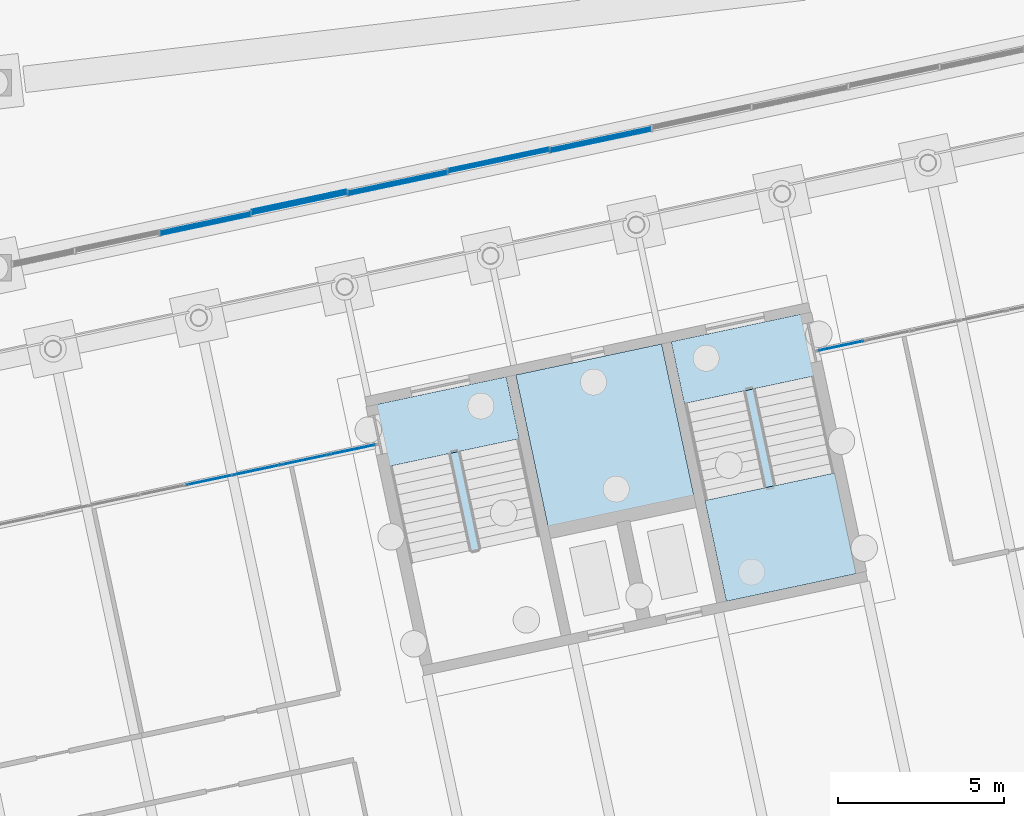
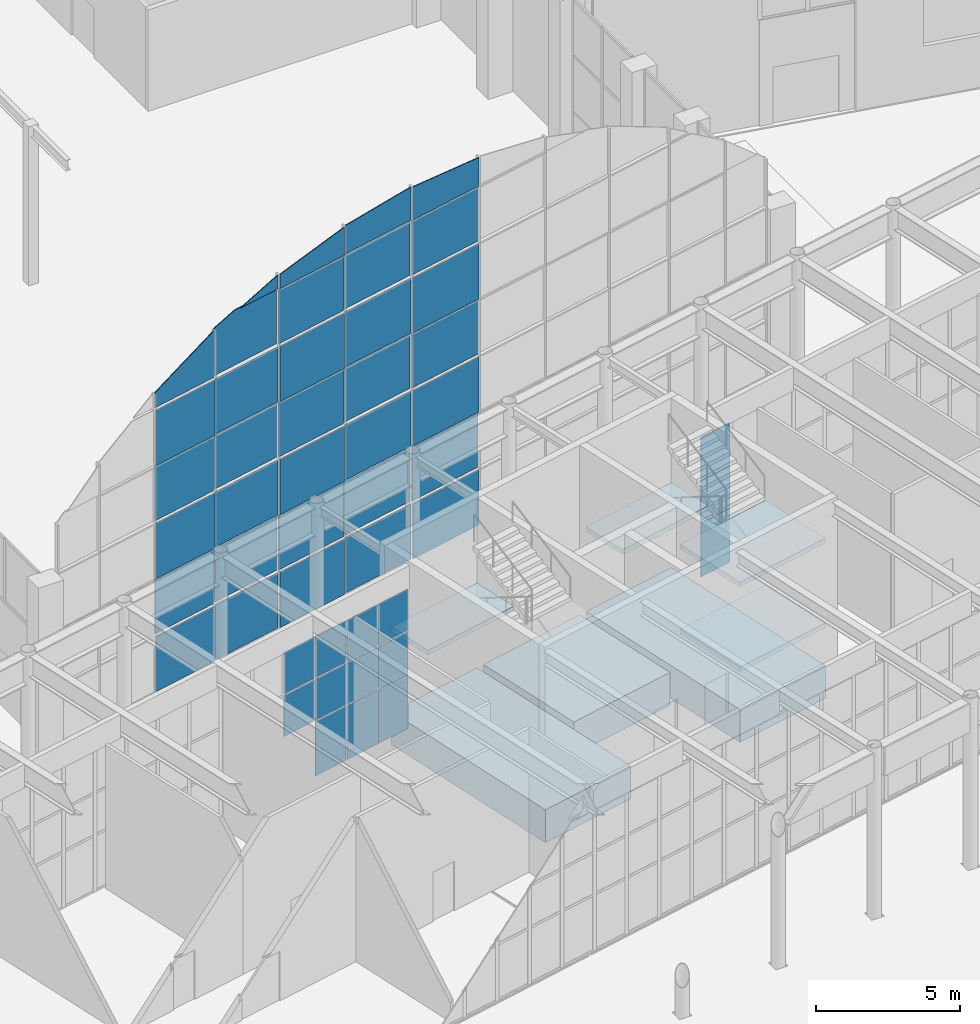
# One storey, part 152 of 239: 48 plates, 7 slabs, 5 elements without a shape of their own.
"""IFC4 building model written with IfcOpenShell, lengths in metres."""

from ifc_helpers import new_model, si_unit, direction, frame, origin, origin_2d, place, context, subcontext, project, spatial, polyline, rectangle, outline, extrude, material, layer, layer_set, type_object, element, aggregate, save


model = new_model("IFC4")

# Units and contexts
model_context = context("Model", 3, precision=1e-05, world=origin(), true_north=direction((0.0, 1.0)))
body_context = subcontext(model_context, "Body", "Model", "MODEL_VIEW")
ifc_project = project(units=[si_unit("LENGTHUNIT", "METRE"), si_unit("AREAUNIT", "SQUARE_METRE"), si_unit("VOLUMEUNIT", "CUBIC_METRE"), si_unit("PLANEANGLEUNIT", "RADIAN"), si_unit("MASSUNIT", "GRAM", prefix="KILO")], contexts=[model_context])

# Site, building, storey
site_placement = place(None, origin())
site = spatial("IfcSite", under=ifc_project, at=site_placement, CompositionType="ELEMENT")
building_placement = place(site_placement, origin())
building = spatial("IfcBuilding", under=site, at=building_placement, Name="Okhra Congress Centre", CompositionType="ELEMENT")
storey_placement = place(building_placement, origin())
storey = spatial("IfcBuildingStorey", under=building, at=storey_placement, Name="L00", CompositionType="ELEMENT", Elevation=0.0)

# Curtain wall, plates
ifc_material_1 = material(Name="Aluminium curtain wall, triple glazing", Category="aluminium")
curtain_wall_type_1 = type_object("IfcCurtainWallType", Name="Curtain wall 1500 module", PredefinedType="NOTDEFINED", material=ifc_material_1)
curtain_wall_1_placement = place(storey_placement, origin())
curtain_wall_1 = element("IfcCurtainWall", 1, at=curtain_wall_1_placement, inside=storey, type_object=curtain_wall_type_1, Name="Ground curtain wall N9", PredefinedType="NOTDEFINED")
ifc_material_2 = material(Name="Triple glazing unit, low-e coating, argon fill", Category="glass")
ifc_layer_1 = layer(ifc_material_2, 0.028076171875)
ifc_layer_set_1 = layer_set([ifc_layer_1], Name="Curtain wall glazing unit 28")
plate_type_1 = type_object("IfcPlateType", Name="Curtain wall glazing unit 28", PredefinedType="CURTAIN_PANEL", material=ifc_layer_set_1)
plate_1_placement = place(storey_placement, frame((161.990234375, 67.845703125, 2.43017578125), z_axis=(0.0, 0.0, 1.0), x_axis=(0.978147600734, 0.207911690818, 0.0)))
plate_1 = element("IfcPlate", 2, at=plate_1_placement, type_object=plate_type_1, Name="CW7 panel 17.2", PredefinedType="CURTAIN_PANEL", context=body_context, shape_type="SweptSolid", body=[
    extrude(rectangle(XDim=1.4130859375, YDim=0.028076171875, at=origin_2d()), origin(), (0.0, 0.0, 1.0), 1.739990234375),
])
plate_2_placement = place(storey_placement, frame((161.990234375, 67.845703125, 4.22998046875), z_axis=(0.0, 0.0, 1.0), x_axis=(0.978147600734, 0.207911690818, 0.0)))
plate_2 = element("IfcPlate", 3, at=plate_2_placement, type_object=plate_type_1, Name="CW7 panel 17.3", PredefinedType="CURTAIN_PANEL", context=body_context, shape_type="SweptSolid", body=[
    extrude(rectangle(XDim=1.4130859375, YDim=0.028076171875, at=origin_2d()), origin(), (0.0, 0.0, 1.0), 1.760009765625),
])
plate_3_placement = place(storey_placement, frame((163.430908203125, 68.152099609375, 0.06005859375), z_axis=(0.0, 0.0, 1.0), x_axis=(0.978147600734, 0.207911690818, 0.0)))
plate_3 = element("IfcPlate", 4, at=plate_3_placement, type_object=plate_type_1, Name="CW7 panel 18.1", PredefinedType="CURTAIN_PANEL", context=body_context, shape_type="SweptSolid", body=[
    extrude(rectangle(XDim=1.4130859375, YDim=0.028076171875, at=origin_2d()), origin(), (0.0, 0.0, 1.0), 2.31005859375),
])
plate_4_placement = place(storey_placement, frame((163.430908203125, 68.152099609375, 2.43017578125), z_axis=(0.0, 0.0, 1.0), x_axis=(0.978147600734, 0.207911690818, 0.0)))
plate_4 = element("IfcPlate", 5, at=plate_4_placement, type_object=plate_type_1, Name="CW7 panel 18.2", PredefinedType="CURTAIN_PANEL", context=body_context, shape_type="SweptSolid", body=[
    extrude(rectangle(XDim=1.4130859375, YDim=0.028076171875, at=origin_2d()), origin(), (0.0, 0.0, 1.0), 1.739990234375),
])
plate_5_placement = place(storey_placement, frame((163.430908203125, 68.152099609375, 4.22998046875), z_axis=(0.0, 0.0, 1.0), x_axis=(0.978147600734, 0.207911690818, 0.0)))
plate_5 = element("IfcPlate", 6, at=plate_5_placement, type_object=plate_type_1, Name="CW7 panel 18.3", PredefinedType="CURTAIN_PANEL", context=body_context, shape_type="SweptSolid", body=[
    extrude(rectangle(XDim=1.4130859375, YDim=0.028076171875, at=origin_2d()), origin(), (0.0, 0.0, 1.0), 1.760009765625),
])
plate_6_placement = place(storey_placement, frame((164.871826171875, 68.458251953125, 0.06005859375), z_axis=(0.0, 0.0, 1.0), x_axis=(0.978147600734, 0.207911690818, 0.0)))
plate_6 = element("IfcPlate", 7, at=plate_6_placement, type_object=plate_type_1, Name="CW7 panel 19.1", PredefinedType="CURTAIN_PANEL", context=body_context, shape_type="SweptSolid", body=[
    extrude(rectangle(XDim=1.4130859375, YDim=0.028076171875, at=origin_2d()), origin(), (0.0, 0.0, 1.0), 2.31005859375),
])
plate_7_placement = place(storey_placement, frame((164.871826171875, 68.458251953125, 2.43017578125), z_axis=(0.0, 0.0, 1.0), x_axis=(0.978147600734, 0.207911690818, 0.0)))
plate_7 = element("IfcPlate", 8, at=plate_7_placement, type_object=plate_type_1, Name="CW7 panel 19.2", PredefinedType="CURTAIN_PANEL", context=body_context, shape_type="SweptSolid", body=[
    extrude(rectangle(XDim=1.4130859375, YDim=0.028076171875, at=origin_2d()), origin(), (0.0, 0.0, 1.0), 1.739990234375),
])
plate_8_placement = place(storey_placement, frame((164.871826171875, 68.458251953125, 4.22998046875), z_axis=(0.0, 0.0, 1.0), x_axis=(0.978147600734, 0.207911690818, 0.0)))
plate_8 = element("IfcPlate", 9, at=plate_8_placement, type_object=plate_type_1, Name="CW7 panel 19.3", PredefinedType="CURTAIN_PANEL", context=body_context, shape_type="SweptSolid", body=[
    extrude(rectangle(XDim=1.4130859375, YDim=0.028076171875, at=origin_2d()), origin(), (0.0, 0.0, 1.0), 1.760009765625),
])
plate_9_placement = place(storey_placement, frame((166.2978515625, 68.761474609375, 0.06005859375), z_axis=(0.0, 0.0, 1.0), x_axis=(0.978147600734, 0.207911690818, 0.0)))
plate_9 = element("IfcPlate", 10, at=plate_9_placement, type_object=plate_type_1, Name="CW7 panel 20.1", PredefinedType="CURTAIN_PANEL", context=body_context, shape_type="SweptSolid", body=[
    extrude(rectangle(XDim=1.383056640625, YDim=0.028076171875, at=origin_2d()), origin(), (0.0, 0.0, 1.0), 2.31005859375),
])
plate_10_placement = place(storey_placement, frame((166.2978515625, 68.761474609375, 2.43017578125), z_axis=(0.0, 0.0, 1.0), x_axis=(0.978147600734, 0.207911690818, 0.0)))
plate_10 = element("IfcPlate", 11, at=plate_10_placement, type_object=plate_type_1, Name="CW7 panel 20.2", PredefinedType="CURTAIN_PANEL", context=body_context, shape_type="SweptSolid", body=[
    extrude(rectangle(XDim=1.383056640625, YDim=0.028076171875, at=origin_2d()), origin(), (0.0, 0.0, 1.0), 1.739990234375),
])
plate_11_placement = place(storey_placement, frame((166.2978515625, 68.761474609375, 4.22998046875), z_axis=(0.0, 0.0, 1.0), x_axis=(0.978147600734, 0.207911690818, 0.0)))
plate_11 = element("IfcPlate", 12, at=plate_11_placement, type_object=plate_type_1, Name="CW7 panel 20.3", PredefinedType="CURTAIN_PANEL", context=body_context, shape_type="SweptSolid", body=[
    extrude(rectangle(XDim=1.383056640625, YDim=0.028076171875, at=origin_2d()), origin(), (0.0, 0.0, 1.0), 1.760009765625),
])
aggregate(curtain_wall_1, [plate_1, plate_2, plate_3, plate_4, plate_5, plate_6, plate_7, plate_8, plate_9, plate_10, plate_11])

curtain_wall_2_placement = place(storey_placement, origin())
curtain_wall_2 = element("IfcCurtainWall", 13, at=curtain_wall_2_placement, inside=storey, type_object=curtain_wall_type_1, Name="Ground curtain wall N10", PredefinedType="NOTDEFINED")
plate_12_placement = place(storey_placement, frame((181.046875, 71.896484375, 0.06005859375), z_axis=(0.0, 0.0, 1.0), x_axis=(0.978147600734, 0.207911690818, 0.0)))
plate_12 = element("IfcPlate", 14, at=plate_12_placement, type_object=plate_type_1, Name="CW7 panel 1.1", PredefinedType="CURTAIN_PANEL", context=body_context, shape_type="SweptSolid", body=[
    extrude(rectangle(XDim=1.3740234375, YDim=0.028076171875, at=origin_2d()), origin(), (0.0, 0.0, 1.0), 2.31005859375),
])
plate_13_placement = place(storey_placement, frame((181.046875, 71.896484375, 2.43017578125), z_axis=(0.0, 0.0, 1.0), x_axis=(0.978147600734, 0.207911690818, 0.0)))
plate_13 = element("IfcPlate", 15, at=plate_13_placement, type_object=plate_type_1, Name="CW7 panel 1.2", PredefinedType="CURTAIN_PANEL", context=body_context, shape_type="SweptSolid", body=[
    extrude(rectangle(XDim=1.3740234375, YDim=0.028076171875, at=origin_2d()), origin(), (0.0, 0.0, 1.0), 1.739990234375),
])
plate_14_placement = place(storey_placement, frame((181.046875, 71.896484375, 4.22998046875), z_axis=(0.0, 0.0, 1.0), x_axis=(0.978147600734, 0.207911690818, 0.0)))
plate_14 = element("IfcPlate", 16, at=plate_14_placement, type_object=plate_type_1, Name="CW7 panel 1.3", PredefinedType="CURTAIN_PANEL", context=body_context, shape_type="SweptSolid", body=[
    extrude(rectangle(XDim=1.3740234375, YDim=0.028076171875, at=origin_2d()), origin(), (0.0, 0.0, 1.0), 1.760009765625),
])
aggregate(curtain_wall_2, [plate_12, plate_13, plate_14])

# Slabs
ifc_material_3 = material(Name="Concrete C35/45", Category="concrete")
ifc_layer_2 = layer(ifc_material_3, 1.39990234375)
ifc_layer_set_2 = layer_set([ifc_layer_2], Name="RC core raft slab 1400 C35/45")
slab_type_1 = type_object("IfcSlabType", Name="RC core raft slab 1400 C35/45", PredefinedType="BASESLAB", material=ifc_layer_set_2)
slab_1_placement = place(storey_placement, frame((0.0, 0.0, -1.39990234375)))
element("IfcSlab", 17, at=slab_1_placement, inside=storey, type_object=slab_type_1, Name="Stair cell raft 4A", PredefinedType="BASESLAB", context=body_context, shape_type="SweptSolid", body=[
    extrude(outline(polyline([(167.0224609375, 70.121826171875), (168.685791015625, 62.296630859375), (172.598388671875, 63.128173828125), (170.93505859375, 70.953369140625), (167.0224609375, 70.121826171875)])), origin(), (0.0, 0.0, 1.0), 1.39990234375),
])
slab_2_placement = place(storey_placement, frame((0.0, 0.0, -1.39990234375)))
element("IfcSlab", 18, at=slab_2_placement, inside=storey, type_object=slab_type_1, Name="Stair cell raft 4B", PredefinedType="BASESLAB", context=body_context, shape_type="SweptSolid", body=[
    extrude(outline(polyline([(175.923583984375, 72.013671875), (177.5869140625, 64.1884765625), (181.49951171875, 65.020263671875), (179.836181640625, 72.845458984375), (175.923583984375, 72.013671875)])), origin(), (0.0, 0.0, 1.0), 1.39990234375),
])
slab_3_placement = place(storey_placement, frame((0.0, 0.0, -1.39990234375)))
element("IfcSlab", 19, at=slab_3_placement, inside=storey, type_object=slab_type_1, Name="Riser room raft 4", PredefinedType="BASESLAB", context=body_context, shape_type="SweptSolid", body=[
    extrude(outline(polyline([(172.20556640625, 66.41845703125), (176.607421875, 67.35400390625), (175.630126953125, 71.951416015625), (171.228515625, 71.015869140625), (172.20556640625, 66.41845703125)])), origin(), (0.0, 0.0, 1.0), 1.39990234375),
])

# Stair, slab
ifc_material_4 = material(Name="Concrete C30/37", Category="concrete")
stair_type = type_object("IfcStairType", Name="Escape stair 1900 wide, 44 risers of 163.6", PredefinedType="HALF_TURN_STAIR", material=ifc_material_4)
stair_1_placement = place(storey_placement, origin())
stair_1 = element("IfcStair", 20, at=stair_1_placement, inside=storey, type_object=stair_type, Name="L00 Escape stair 4A", PredefinedType="HALF_TURN_STAIR")
ifc_layer_3 = layer(ifc_material_4, 0.199951171875)
ifc_layer_set_3 = layer_set([ifc_layer_3], Name="RC stair landing 200 C30/37")
slab_type_2 = type_object("IfcSlabType", Name="RC stair landing 200 C30/37", PredefinedType="LANDING", material=ifc_layer_set_3)
slab_4_placement = place(storey_placement, frame((0.0, 0.0, 3.39990234375)))
slab_4 = element("IfcSlab", 21, at=slab_4_placement, type_object=slab_type_2, Name="BS4A landing 2", PredefinedType="LANDING", context=body_context, shape_type="SweptSolid", body=[
    extrude(outline(polyline([(167.0166015625, 70.12548828125), (170.93896484375, 70.959228515625), (171.3359375, 69.091064453125), (167.41357421875, 68.25732421875), (167.0166015625, 70.12548828125)])), origin(), (0.0, 0.0, 1.0), 0.2001953125),
])
aggregate(stair_1, [slab_4])

# Stair, slabs
stair_2_placement = place(storey_placement, origin())
stair_2 = element("IfcStair", 22, at=stair_2_placement, inside=storey, type_object=stair_type, Name="L00 Escape stair 4B", PredefinedType="HALF_TURN_STAIR")
slab_5_placement = place(storey_placement, frame((0.0, 0.0, 1.60009765625)))
slab_5 = element("IfcSlab", 23, at=slab_5_placement, type_object=slab_type_2, Name="BS4B landing 1", PredefinedType="LANDING", context=body_context, shape_type="SweptSolid", body=[
    extrude(outline(polyline([(176.936279296875, 67.224609375), (180.85888671875, 68.058349609375), (181.50537109375, 65.016357421875), (177.5830078125, 64.1826171875), (176.936279296875, 67.224609375)])), origin(), (0.0, 0.0, 1.0), 0.199951171875),
])
slab_6_placement = place(storey_placement, frame((0.0, 0.0, 3.39990234375)))
slab_6 = element("IfcSlab", 24, at=slab_6_placement, type_object=slab_type_2, Name="BS4B landing 2", PredefinedType="LANDING", context=body_context, shape_type="SweptSolid", body=[
    extrude(outline(polyline([(175.917724609375, 72.017578125), (179.840087890625, 72.851318359375), (180.237060546875, 70.983154296875), (176.314697265625, 70.1494140625), (175.917724609375, 72.017578125)])), origin(), (0.0, 0.0, 1.0), 0.2001953125),
])
slab_7_placement = place(storey_placement, frame((0.0, 0.0, 5.199951171875)))
slab_7 = element("IfcSlab", 25, at=slab_7_placement, type_object=slab_type_2, Name="BS4B landing 3", PredefinedType="LANDING", context=body_context, shape_type="SweptSolid", body=[
    extrude(outline(polyline([(176.936279296875, 67.224609375), (180.85888671875, 68.058349609375), (181.50537109375, 65.016357421875), (177.5830078125, 64.1826171875), (176.936279296875, 67.224609375)])), origin(), (0.0, 0.0, 1.0), 0.199951171875),
])
aggregate(stair_2, [slab_5, slab_6, slab_7])

# Curtain wall, plates
ifc_material_5 = material(Name="Aluminium frame with triple glazing", Category="aluminium")
curtain_wall_type_2 = type_object("IfcCurtainWallType", Name="Glazed gable curtain wall", PredefinedType="NOTDEFINED", material=ifc_material_5)
curtain_wall_3_placement = place(storey_placement, origin())
curtain_wall_3 = element("IfcCurtainWall", 26, at=curtain_wall_3_placement, inside=storey, type_object=curtain_wall_type_2, Name="South gable glazing", PredefinedType="NOTDEFINED")
ifc_material_6 = material(Name="Toughened triple glazed unit")
ifc_layer_4 = layer(ifc_material_6, 0.028076171875)
ifc_layer_set_4 = layer_set([ifc_layer_4], Name="Triple glazed unit 28 mm")
plate_type_2 = type_object("IfcPlateType", Name="Triple glazed unit 28 mm", PredefinedType="CURTAIN_PANEL", material=ifc_layer_set_4)
plate_15_placement = place(storey_placement, frame((163.20556640625, 75.836181640625, 0.030029296875), z_axis=(-0.207873566928, 0.97815570344, 0.0), x_axis=(-0.97815570344, -0.207873566928, 0.0)))
plate_15 = element("IfcPlate", 27, at=plate_15_placement, type_object=plate_type_2, Name="South gable glazing glass panel 3.1", PredefinedType="CURTAIN_PANEL", context=body_context, shape_type="SweptSolid", body=[
    extrude(outline(polyline([(0.0, 0.0), (2.759997229229186, 0.0), (2.759997229229186, 2.340087890625), (0.0, 2.340087890625), (0.0, 0.0)])), origin(), (0.0, 0.0, -1.0), 0.028076171875),
])
plate_16_placement = place(storey_placement, frame((163.20556640625, 75.920166015625, 2.429931640625), z_axis=(-0.207873566928, 0.97815570344, 0.0), x_axis=(-0.97815570344, -0.207873566928, 0.0)))
plate_16 = element("IfcPlate", 28, at=plate_16_placement, type_object=plate_type_2, Name="South gable glazing glass panel 3.2", PredefinedType="CURTAIN_PANEL", context=body_context, shape_type="SweptSolid", body=[
    extrude(outline(polyline([(0.0, 0.0), (2.759997229229186, 0.0), (2.759997229229186, 2.340087890625), (0.0, 2.340087890625), (0.0, 0.0)])), origin(), (0.0, 0.0, -1.0), 0.028076171875),
])
plate_17_placement = place(storey_placement, frame((163.20556640625, 75.836181640625, 4.830078125), z_axis=(-0.207873566928, 0.97815570344, 0.0), x_axis=(-0.97815570344, -0.207873566928, 0.0)))
plate_17 = element("IfcPlate", 29, at=plate_17_placement, type_object=plate_type_2, Name="South gable glazing glass panel 3.3", PredefinedType="CURTAIN_PANEL", context=body_context, shape_type="SweptSolid", body=[
    extrude(outline(polyline([(0.0, 0.0), (2.759997229229186, 0.0), (2.759997229229186, 2.3398437499999996), (0.0, 2.3398437499999996), (0.0, 0.0)])), origin(), (0.0, 0.0, -1.0), 0.028076171875),
])
plate_18_placement = place(storey_placement, frame((163.20556640625, 75.920166015625, 7.22998046875), z_axis=(-0.207873566928, 0.97815570344, 0.0), x_axis=(-0.97815570344, -0.207873566928, 0.0)))
plate_18 = element("IfcPlate", 30, at=plate_18_placement, type_object=plate_type_2, Name="South gable glazing glass panel 3.4", PredefinedType="CURTAIN_PANEL", context=body_context, shape_type="SweptSolid", body=[
    extrude(outline(polyline([(0.0, 0.0), (2.759997229229186, 0.0), (2.759997229229186, 2.340087890625), (0.0, 2.340087890625), (0.0, 0.0)])), origin(), (0.0, 0.0, -1.0), 0.028076171875),
])
plate_19_placement = place(storey_placement, frame((163.20556640625, 75.836181640625, 9.6298828125), z_axis=(-0.207873566928, 0.97815570344, 0.0), x_axis=(-0.97815570344, -0.207873566928, 0.0)))
plate_19 = element("IfcPlate", 31, at=plate_19_placement, type_object=plate_type_2, Name="South gable glazing glass panel 3.5", PredefinedType="CURTAIN_PANEL", context=body_context, shape_type="SweptSolid", body=[
    extrude(outline(polyline([(0.0, 0.0), (2.759997229229186, 0.0), (2.759997229229186, 2.340087890625), (0.0, 2.340087890625), (0.0, 0.0)])), origin(), (0.0, 0.0, -1.0), 0.028076171875),
])
plate_20_placement = place(storey_placement, frame((163.20556640625, 75.920166015625, 12.030029296875), z_axis=(-0.207873566928, 0.97815570344, 0.0), x_axis=(-0.97815570344, -0.207873566928, 0.0)))
plate_20 = element("IfcPlate", 32, at=plate_20_placement, type_object=plate_type_2, Name="South gable glazing glass panel 3.6", PredefinedType="CURTAIN_PANEL", context=body_context, shape_type="SweptSolid", body=[
    extrude(outline(polyline([(0.0, 0.0), (2.759997229229186, 0.0), (2.759997229229186, 0.6416015625), (0.0, 1.985107421875), (0.0, 0.0)])), origin(), (0.0, 0.0, -1.0), 0.028076171875),
])
plate_21_placement = place(storey_placement, frame((166.121826171875, 76.498291015625, 0.030029296875), z_axis=(-0.207935752015, 0.978142486059, 0.0), x_axis=(-0.978142486059, -0.207935752015, 0.0)))
plate_21 = element("IfcPlate", 33, at=plate_21_placement, type_object=plate_type_2, Name="South gable glazing glass panel 4.1", PredefinedType="CURTAIN_PANEL", context=body_context, shape_type="SweptSolid", body=[
    extrude(outline(polyline([(0.0, 0.0), (2.9200256737468737, 0.0), (2.9200256737468737, 2.3400878906250004), (0.0, 2.3400878906250004), (0.0, 0.0)])), origin(), (0.0, 0.0, -1.0), 0.028076171875),
])
plate_22_placement = place(storey_placement, frame((166.121826171875, 76.582275390625, 2.429931640625), z_axis=(-0.207935752015, 0.978142486059, 0.0), x_axis=(-0.978142486059, -0.207935752015, 0.0)))
plate_22 = element("IfcPlate", 34, at=plate_22_placement, type_object=plate_type_2, Name="South gable glazing glass panel 4.2", PredefinedType="CURTAIN_PANEL", context=body_context, shape_type="SweptSolid", body=[
    extrude(outline(polyline([(0.0, 0.0), (2.9200256737468737, 0.0), (2.9200256737468737, 2.3400878906250004), (0.0, 2.3400878906250004), (0.0, 0.0)])), origin(), (0.0, 0.0, -1.0), 0.028076171875),
])
plate_23_placement = place(storey_placement, frame((166.121826171875, 76.498291015625, 4.830078125), z_axis=(-0.207935752015, 0.978142486059, 0.0), x_axis=(-0.978142486059, -0.207935752015, 0.0)))
plate_23 = element("IfcPlate", 35, at=plate_23_placement, type_object=plate_type_2, Name="South gable glazing glass panel 4.3", PredefinedType="CURTAIN_PANEL", context=body_context, shape_type="SweptSolid", body=[
    extrude(outline(polyline([(0.0, 0.0), (2.9200256737468737, 0.0), (2.9200256737468737, 2.3398437500000004), (0.0, 2.3398437500000004), (0.0, 0.0)])), origin(), (0.0, 0.0, -1.0), 0.028076171875),
])
plate_24_placement = place(storey_placement, frame((166.121826171875, 76.582275390625, 7.22998046875), z_axis=(-0.207935752015, 0.978142486059, 0.0), x_axis=(-0.978142486059, -0.207935752015, 0.0)))
plate_24 = element("IfcPlate", 36, at=plate_24_placement, type_object=plate_type_2, Name="South gable glazing glass panel 4.4", PredefinedType="CURTAIN_PANEL", context=body_context, shape_type="SweptSolid", body=[
    extrude(outline(polyline([(0.0, 0.0), (2.9200256737468737, 0.0), (2.9200256737468737, 2.3400878906250004), (0.0, 2.3400878906250004), (0.0, 0.0)])), origin(), (0.0, 0.0, -1.0), 0.028076171875),
])
plate_25_placement = place(storey_placement, frame((166.121826171875, 76.498291015625, 9.6298828125), z_axis=(-0.207935752015, 0.978142486059, 0.0), x_axis=(-0.978142486059, -0.207935752015, 0.0)))
plate_25 = element("IfcPlate", 37, at=plate_25_placement, type_object=plate_type_2, Name="South gable glazing glass panel 4.5", PredefinedType="CURTAIN_PANEL", context=body_context, shape_type="SweptSolid", body=[
    extrude(outline(polyline([(0.0, 0.0), (2.9200256737468737, 0.0), (2.9200256737468737, 2.3400878906250004), (0.0, 2.3400878906250004), (0.0, 0.0)])), origin(), (0.0, 0.0, -1.0), 0.028076171875),
])
plate_26_placement = place(storey_placement, frame((166.121826171875, 76.582275390625, 12.030029296875), z_axis=(0.20793574807, -0.978142486898, 3.574e-08), x_axis=(-0.978142486898, -0.20793574807, 0.0)))
plate_26 = element("IfcPlate", 38, at=plate_26_placement, type_object=plate_type_2, Name="South gable glazing glass panel 4.6", PredefinedType="CURTAIN_PANEL", context=body_context, shape_type="SweptSolid", body=[
    extrude(outline(polyline([(0.0, 0.0), (2.9200256737468733, -3.308722450212111e-24), (2.920025673746873, -2.010498046874999), (1.9361175096273173, -2.340087890625005), (-3.373813434698087e-16, -2.340087890624999), (0.0, 0.0)])), origin(), (0.0, 0.0, -1.0), 0.028076171875),
])
plate_27_placement = place(storey_placement, frame((166.121826171875, 76.498291015625, 14.429931640625), z_axis=(-0.208019959937, 0.978124581159, 0.0), x_axis=(-0.978124581159, -0.208019959937, 0.0)))
plate_27 = element("IfcPlate", 39, at=plate_27_placement, type_object=plate_type_2, Name="South gable glazing glass panel 4.7", PredefinedType="CURTAIN_PANEL", context=body_context, shape_type="SweptSolid", body=[
    extrude(outline(polyline([(0.0, 0.0), (1.7569396500989043, 0.0), (0.0, 0.58837890625), (0.0, 0.0)])), origin(), (0.0, 0.0, -1.0), 0.028076171875),
])
plate_28_placement = place(storey_placement, frame((169.144287109375, 77.098876953125, 0.030029296875), z_axis=(-0.20797637479, 0.978133849496, 0.0), x_axis=(-0.978133849496, -0.20797637479, 0.0)))
plate_28 = element("IfcPlate", 40, at=plate_28_placement, type_object=plate_type_2, Name="South gable glazing glass panel 5.1", PredefinedType="CURTAIN_PANEL", context=body_context, shape_type="SweptSolid", body=[
    extrude(outline(polyline([(0.0, 0.0), (3.028626752133449, 0.0), (3.028626752133449, 2.340087890625), (0.0, 2.340087890625), (0.0, 0.0)])), origin(), (0.0, 0.0, -1.0), 0.028076171875),
])
plate_29_placement = place(storey_placement, frame((169.144287109375, 77.182861328125, 2.429931640625), z_axis=(-0.20797637479, 0.978133849496, 0.0), x_axis=(-0.978133849496, -0.20797637479, 0.0)))
plate_29 = element("IfcPlate", 41, at=plate_29_placement, type_object=plate_type_2, Name="South gable glazing glass panel 5.2", PredefinedType="CURTAIN_PANEL", context=body_context, shape_type="SweptSolid", body=[
    extrude(outline(polyline([(0.0, 0.0), (3.028626752133449, 0.0), (3.028626752133449, 2.340087890625), (0.0, 2.340087890625), (0.0, 0.0)])), origin(), (0.0, 0.0, -1.0), 0.028076171875),
])
plate_30_placement = place(storey_placement, frame((169.144287109375, 77.098876953125, 4.830078125), z_axis=(-0.20797637479, 0.978133849496, 0.0), x_axis=(-0.978133849496, -0.20797637479, 0.0)))
plate_30 = element("IfcPlate", 42, at=plate_30_placement, type_object=plate_type_2, Name="South gable glazing glass panel 5.3", PredefinedType="CURTAIN_PANEL", context=body_context, shape_type="SweptSolid", body=[
    extrude(outline(polyline([(0.0, 0.0), (3.028626752133449, 0.0), (3.028626752133449, 2.33984375), (0.0, 2.33984375), (0.0, 0.0)])), origin(), (0.0, 0.0, -1.0), 0.028076171875),
])
plate_31_placement = place(storey_placement, frame((169.144287109375, 77.182861328125, 7.22998046875), z_axis=(-0.20797637479, 0.978133849496, 0.0), x_axis=(-0.978133849496, -0.20797637479, 0.0)))
plate_31 = element("IfcPlate", 43, at=plate_31_placement, type_object=plate_type_2, Name="South gable glazing glass panel 5.4", PredefinedType="CURTAIN_PANEL", context=body_context, shape_type="SweptSolid", body=[
    extrude(outline(polyline([(0.0, 0.0), (3.028626752133449, 0.0), (3.028626752133449, 2.340087890625), (0.0, 2.340087890625), (0.0, 0.0)])), origin(), (0.0, 0.0, -1.0), 0.028076171875),
])
plate_32_placement = place(storey_placement, frame((169.144287109375, 77.098876953125, 9.6298828125), z_axis=(-0.20797637479, 0.978133849496, 0.0), x_axis=(-0.978133849496, -0.20797637479, 0.0)))
plate_32 = element("IfcPlate", 44, at=plate_32_placement, type_object=plate_type_2, Name="South gable glazing glass panel 5.5", PredefinedType="CURTAIN_PANEL", context=body_context, shape_type="SweptSolid", body=[
    extrude(outline(polyline([(0.0, 0.0), (3.028626752133449, 0.0), (3.028626752133449, 2.340087890625), (0.0, 2.340087890625), (0.0, 0.0)])), origin(), (0.0, 0.0, -1.0), 0.028076171875),
])
plate_33_placement = place(storey_placement, frame((169.144287109375, 77.182861328125, 12.030029296875), z_axis=(-0.20797637479, 0.978133849496, 0.0), x_axis=(-0.978133849496, -0.20797637479, 0.0)))
plate_33 = element("IfcPlate", 45, at=plate_33_placement, type_object=plate_type_2, Name="South gable glazing glass panel 5.6", PredefinedType="CURTAIN_PANEL", context=body_context, shape_type="SweptSolid", body=[
    extrude(outline(polyline([(0.0, 0.0), (3.028626752133449, 0.0), (3.028626752133449, 2.340087890625), (0.0, 2.340087890625), (0.0, 0.0)])), origin(), (0.0, 0.0, -1.0), 0.028076171875),
])
plate_34_placement = place(storey_placement, frame((169.144287109375, 77.098876953125, 14.429931640625), z_axis=(-0.20797637479, 0.978133849496, 0.0), x_axis=(-0.978133849496, -0.20797637479, 0.0)))
plate_34 = element("IfcPlate", 46, at=plate_34_placement, type_object=plate_type_2, Name="South gable glazing glass panel 5.7", PredefinedType="CURTAIN_PANEL", context=body_context, shape_type="SweptSolid", body=[
    extrude(outline(polyline([(0.0, 0.0), (3.028626752133449, 0.0), (3.028626752133449, 0.6047363281250001), (0.0, 1.1989746093750002), (0.0, 0.0)])), origin(), (0.0, 0.0, -1.0), 0.028076171875),
])
plate_35_placement = place(storey_placement, frame((172.219970703125, 77.794677734375, 0.030029296875), z_axis=(-0.207933569711, 0.978142949976, 0.0), x_axis=(-0.978142949976, -0.207933569711, 0.0)))
plate_35 = element("IfcPlate", 47, at=plate_35_placement, type_object=plate_type_2, Name="South gable glazing glass panel 6.1", PredefinedType="CURTAIN_PANEL", context=body_context, shape_type="SweptSolid", body=[
    extrude(outline(polyline([(0.0, 0.0), (3.083260111111179, 0.0), (3.083260111111179, 2.340087890625), (0.0, 2.340087890625), (0.0, 0.0)])), origin(), (0.0, 0.0, -1.0), 0.028076171875),
])
plate_36_placement = place(storey_placement, frame((172.219970703125, 77.878662109375, 2.429931640625), z_axis=(-0.207933569711, 0.978142949976, 0.0), x_axis=(-0.978142949976, -0.207933569711, 0.0)))
plate_36 = element("IfcPlate", 48, at=plate_36_placement, type_object=plate_type_2, Name="South gable glazing glass panel 6.2", PredefinedType="CURTAIN_PANEL", context=body_context, shape_type="SweptSolid", body=[
    extrude(outline(polyline([(0.0, 0.0), (3.083260111111179, 0.0), (3.083260111111179, 2.340087890625), (0.0, 2.340087890625), (0.0, 0.0)])), origin(), (0.0, 0.0, -1.0), 0.028076171875),
])
plate_37_placement = place(storey_placement, frame((172.219970703125, 77.794677734375, 4.830078125), z_axis=(-0.207933569711, 0.978142949976, 0.0), x_axis=(-0.978142949976, -0.207933569711, 0.0)))
plate_37 = element("IfcPlate", 49, at=plate_37_placement, type_object=plate_type_2, Name="South gable glazing glass panel 6.3", PredefinedType="CURTAIN_PANEL", context=body_context, shape_type="SweptSolid", body=[
    extrude(outline(polyline([(0.0, 0.0), (3.083260111111179, 0.0), (3.083260111111179, 2.3398437499999996), (0.0, 2.3398437499999996), (0.0, 0.0)])), origin(), (0.0, 0.0, -1.0), 0.028076171875),
])
plate_38_placement = place(storey_placement, frame((172.219970703125, 77.878662109375, 7.22998046875), z_axis=(-0.207933569711, 0.978142949976, 0.0), x_axis=(-0.978142949976, -0.207933569711, 0.0)))
plate_38 = element("IfcPlate", 50, at=plate_38_placement, type_object=plate_type_2, Name="South gable glazing glass panel 6.4", PredefinedType="CURTAIN_PANEL", context=body_context, shape_type="SweptSolid", body=[
    extrude(outline(polyline([(0.0, 0.0), (3.083260111111179, 0.0), (3.083260111111179, 2.340087890625), (0.0, 2.340087890625), (0.0, 0.0)])), origin(), (0.0, 0.0, -1.0), 0.028076171875),
])
plate_39_placement = place(storey_placement, frame((172.219970703125, 77.794677734375, 9.6298828125), z_axis=(-0.207933569711, 0.978142949976, 0.0), x_axis=(-0.978142949976, -0.207933569711, 0.0)))
plate_39 = element("IfcPlate", 51, at=plate_39_placement, type_object=plate_type_2, Name="South gable glazing glass panel 6.5", PredefinedType="CURTAIN_PANEL", context=body_context, shape_type="SweptSolid", body=[
    extrude(outline(polyline([(0.0, 0.0), (3.083260111111179, 0.0), (3.083260111111179, 2.340087890625), (0.0, 2.340087890625), (0.0, 0.0)])), origin(), (0.0, 0.0, -1.0), 0.028076171875),
])
plate_40_placement = place(storey_placement, frame((172.219970703125, 77.878662109375, 12.030029296875), z_axis=(-0.207933569711, 0.978142949976, 0.0), x_axis=(-0.978142949976, -0.207933569711, 0.0)))
plate_40 = element("IfcPlate", 52, at=plate_40_placement, type_object=plate_type_2, Name="South gable glazing glass panel 6.6", PredefinedType="CURTAIN_PANEL", context=body_context, shape_type="SweptSolid", body=[
    extrude(outline(polyline([(0.0, 0.0), (3.083260111111179, 0.0), (3.083260111111179, 2.340087890625), (0.0, 2.340087890625), (0.0, 0.0)])), origin(), (0.0, 0.0, -1.0), 0.028076171875),
])
plate_41_placement = place(storey_placement, frame((172.219970703125, 77.794677734375, 14.429931640625), z_axis=(-0.207933569711, 0.978142949976, 0.0), x_axis=(-0.978142949976, -0.207933569711, 0.0)))
plate_41 = element("IfcPlate", 53, at=plate_41_placement, type_object=plate_type_2, Name="South gable glazing glass panel 6.7", PredefinedType="CURTAIN_PANEL", context=body_context, shape_type="SweptSolid", body=[
    extrude(outline(polyline([(0.0, 0.0), (3.083260111111179, 0.0), (3.083260111111179, 1.2067871093750002), (0.0, 1.4062500000000002), (0.0, 0.0)])), origin(), (0.0, 0.0, -1.0), 0.028076171875),
])
plate_42_placement = place(storey_placement, frame((175.2958984375, 78.40673828125, 0.030029296875), z_axis=(-0.208009326894, 0.978126842452, 0.0), x_axis=(-0.978126842452, -0.208009326894, 0.0)))
plate_42 = element("IfcPlate", 54, at=plate_42_placement, type_object=plate_type_2, Name="South gable glazing glass panel 7.1", PredefinedType="CURTAIN_PANEL", context=body_context, shape_type="SweptSolid", body=[
    extrude(outline(polyline([(0.0, 0.0), (3.0833108853906257, 0.0), (3.0833108853906257, 2.3400878906250004), (0.0, 2.3400878906250004), (0.0, 0.0)])), origin(), (0.0, 0.0, -1.0), 0.028076171875),
])
plate_43_placement = place(storey_placement, frame((175.2958984375, 78.49072265625, 2.429931640625), z_axis=(-0.207933569711, 0.978142949976, 0.0), x_axis=(-0.978142949976, -0.207933569711, 0.0)))
plate_43 = element("IfcPlate", 55, at=plate_43_placement, type_object=plate_type_2, Name="South gable glazing glass panel 7.2", PredefinedType="CURTAIN_PANEL", context=body_context, shape_type="SweptSolid", body=[
    extrude(outline(polyline([(0.0, 0.0), (3.083260111111179, 0.0), (3.083260111111179, 2.340087890625), (0.0, 2.340087890625), (0.0, 0.0)])), origin(), (0.0, 0.0, -1.0), 0.028076171875),
])
plate_44_placement = place(storey_placement, frame((175.2958984375, 78.40673828125, 4.830078125), z_axis=(-0.208009326894, 0.978126842452, 0.0), x_axis=(-0.978126842452, -0.208009326894, 0.0)))
plate_44 = element("IfcPlate", 56, at=plate_44_placement, type_object=plate_type_2, Name="South gable glazing glass panel 7.3", PredefinedType="CURTAIN_PANEL", context=body_context, shape_type="SweptSolid", body=[
    extrude(outline(polyline([(0.0, 0.0), (3.0833108853906257, 0.0), (3.0833108853906257, 2.33984375), (0.0, 2.33984375), (0.0, 0.0)])), origin(), (0.0, 0.0, -1.0), 0.028076171875),
])
plate_45_placement = place(storey_placement, frame((175.2958984375, 78.49072265625, 7.22998046875), z_axis=(-0.207933569711, 0.978142949976, 0.0), x_axis=(-0.978142949976, -0.207933569711, 0.0)))
plate_45 = element("IfcPlate", 57, at=plate_45_placement, type_object=plate_type_2, Name="South gable glazing glass panel 7.4", PredefinedType="CURTAIN_PANEL", context=body_context, shape_type="SweptSolid", body=[
    extrude(outline(polyline([(0.0, 0.0), (3.083260111111179, 0.0), (3.083260111111179, 2.340087890625), (0.0, 2.340087890625), (0.0, 0.0)])), origin(), (0.0, 0.0, -1.0), 0.028076171875),
])
plate_46_placement = place(storey_placement, frame((175.2958984375, 78.40673828125, 9.6298828125), z_axis=(-0.208009326894, 0.978126842452, 0.0), x_axis=(-0.978126842452, -0.208009326894, 0.0)))
plate_46 = element("IfcPlate", 58, at=plate_46_placement, type_object=plate_type_2, Name="South gable glazing glass panel 7.5", PredefinedType="CURTAIN_PANEL", context=body_context, shape_type="SweptSolid", body=[
    extrude(outline(polyline([(0.0, 0.0), (3.0833108853906257, 0.0), (3.0833108853906257, 2.3400878906250004), (0.0, 2.3400878906250004), (0.0, 0.0)])), origin(), (0.0, 0.0, -1.0), 0.028076171875),
])
plate_47_placement = place(storey_placement, frame((175.2958984375, 78.49072265625, 12.030029296875), z_axis=(-0.207933569711, 0.978142949976, 0.0), x_axis=(-0.978142949976, -0.207933569711, 0.0)))
plate_47 = element("IfcPlate", 59, at=plate_47_placement, type_object=plate_type_2, Name="South gable glazing glass panel 7.6", PredefinedType="CURTAIN_PANEL", context=body_context, shape_type="SweptSolid", body=[
    extrude(outline(polyline([(0.0, 0.0), (3.083260111111179, 0.0), (3.083260111111179, 2.340087890625), (0.0, 2.340087890625), (0.0, 0.0)])), origin(), (0.0, 0.0, -1.0), 0.028076171875),
])
plate_48_placement = place(storey_placement, frame((175.2958984375, 78.40673828125, 14.429931640625), z_axis=(-0.208009326894, 0.978126842452, 0.0), x_axis=(-0.978126842452, -0.208009326894, 0.0)))
plate_48 = element("IfcPlate", 60, at=plate_48_placement, type_object=plate_type_2, Name="South gable glazing glass panel 7.7", PredefinedType="CURTAIN_PANEL", context=body_context, shape_type="SweptSolid", body=[
    extrude(outline(polyline([(0.0, 0.0), (3.0833108853906257, 0.0), (3.0833108853906257, 1.40625), (0.0, 1.206787109375), (0.0, 0.0)])), origin(), (0.0, 0.0, -1.0), 0.028076171875),
])
aggregate(curtain_wall_3, [plate_15, plate_16, plate_17, plate_18, plate_19, plate_20, plate_21, plate_22, plate_23, plate_24, plate_25, plate_26, plate_27, plate_28, plate_29, plate_30, plate_31, plate_32, plate_33, plate_34, plate_35, plate_36, plate_37, plate_38, plate_39, plate_40, plate_41, plate_42, plate_43, plate_44, plate_45, plate_46, plate_47, plate_48])

save(model, "model.ifc")
